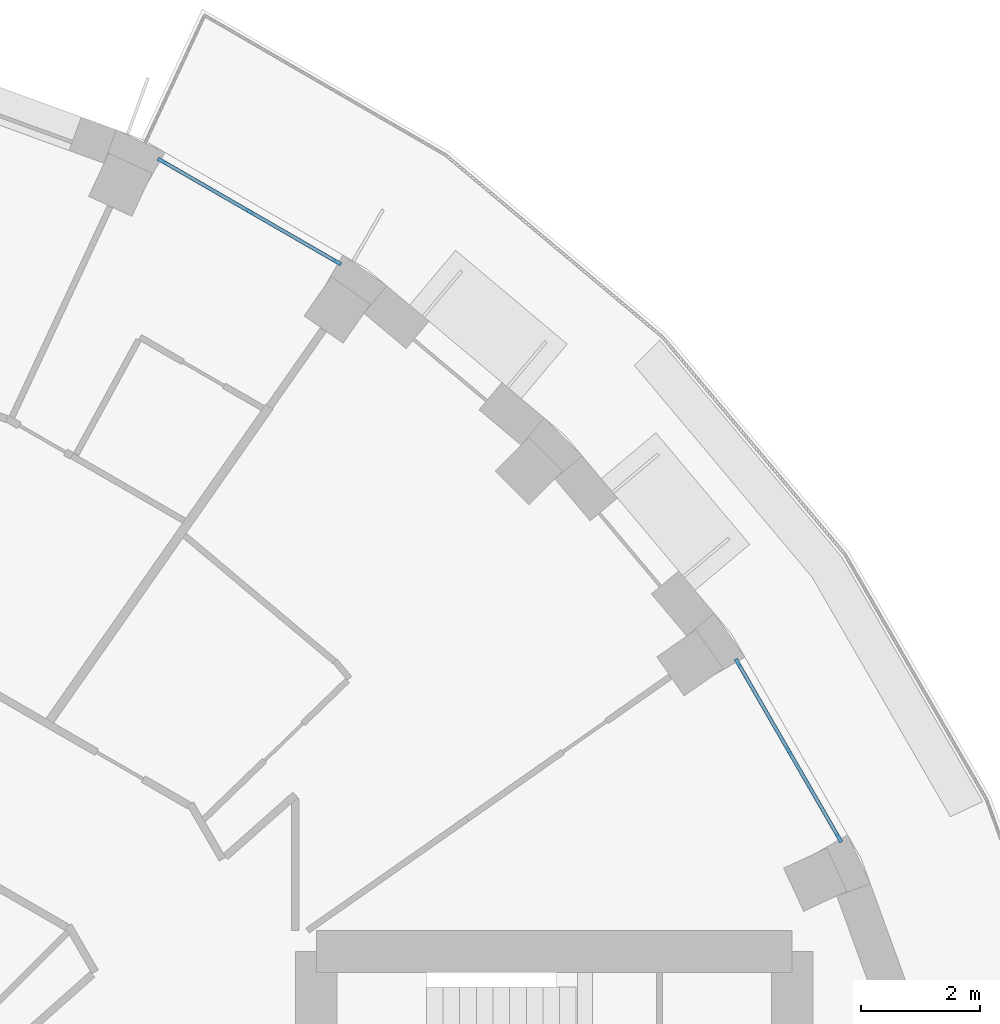
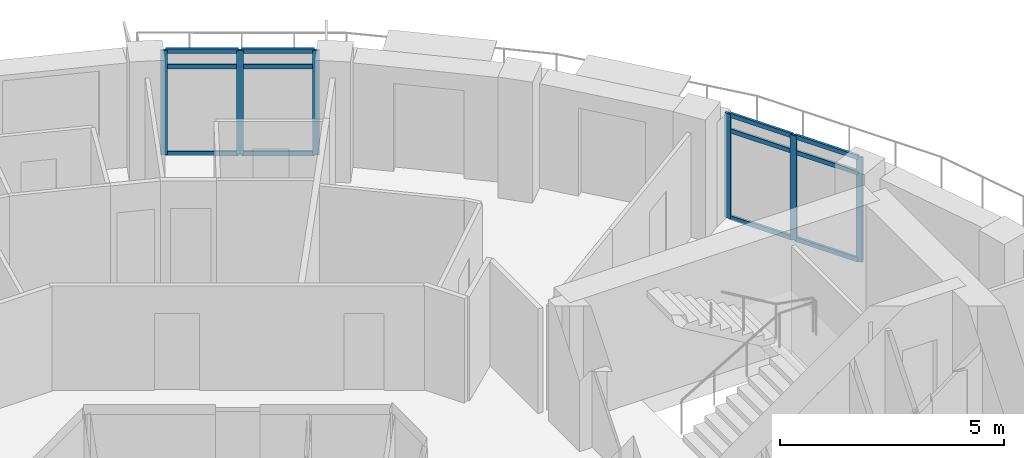
# One storey, part 2 of 15: 18 members, 2 elements without a shape of their own.
"""IFC4 building model written with IfcOpenShell, lengths in metres."""

from ifc_helpers import new_model, si_unit, direction, frame, origin, origin_2d, place, context, subcontext, project, spatial, rectangle, extrude, material, layer, layer_set, material_profile, profile_set, type_object, element, aggregate, save


model = new_model("IFC4")

# Units and contexts
model_context = context("Model", 3, precision=1e-05, world=origin(), true_north=direction((0.0, 1.0)))
body_context = subcontext(model_context, "Body", "Model", "MODEL_VIEW")
ifc_project = project(units=[si_unit("LENGTHUNIT", "METRE"), si_unit("AREAUNIT", "SQUARE_METRE"), si_unit("VOLUMEUNIT", "CUBIC_METRE"), si_unit("PLANEANGLEUNIT", "RADIAN"), si_unit("MASSUNIT", "GRAM", prefix="KILO")], contexts=[model_context])

# Site, building, storey
site_placement = place(None, origin())
site = spatial("IfcSite", under=ifc_project, at=site_placement, CompositionType="ELEMENT")
building_placement = place(site_placement, origin())
building = spatial("IfcBuilding", under=site, at=building_placement, Name="Saqina Gate Tower", CompositionType="ELEMENT")
storey_placement = place(building_placement, frame((0.0, 0.0, 197.10009765625)))
storey = spatial("IfcBuildingStorey", under=building, at=storey_placement, Name="L56", CompositionType="ELEMENT", Elevation=197.10009765625)

# Curtain wall, members
ifc_material_1 = material(Name="Aluminium glazing", Category="aluminium")
ifc_layer = layer(ifc_material_1, 0.159912109375)
ifc_layer_set = layer_set([ifc_layer], Name="CWT-4")
curtain_wall_type = type_object("IfcCurtainWallType", Name="CWT-4", PredefinedType="NOTDEFINED", material=ifc_layer_set)
curtain_wall_1_placement = place(storey_placement, origin())
curtain_wall_1 = element("IfcCurtainWall", 1, at=curtain_wall_1_placement, inside=storey, type_object=curtain_wall_type, Name="Terrace lounge glazing facet 3", PredefinedType="NOTDEFINED")
ifc_material_2 = material(Name="Aluminium", Category="aluminium")
ifc_material_profile_1 = material_profile(ifc_material_2, rectangle(XDim=0.06005859375, YDim=0.159912109375, at=origin_2d()), Name="Aluminium 60x160")
ifc_profile_set_1 = profile_set([ifc_material_profile_1], Name="Aluminium")
member_type_1 = type_object("IfcMemberType", Name="CWT-4M", PredefinedType="MULLION", material=ifc_profile_set_1)
member_1_placement = place(storey_placement, frame((22.285888671875, 10.90966796875, 0.0), z_axis=(0.0, 0.0, 1.0), x_axis=(-0.866017110341, -0.500014364391, 0.0)))
member_1 = element("IfcMember", 2, at=member_1_placement, type_object=member_type_1, Name="CW4-03 mullion 1", PredefinedType="MULLION", context=body_context, shape_type="SweptSolid", body=[
    extrude(rectangle(XDim=0.06005859375, YDim=0.159912109375, at=origin_2d()), origin(), (0.0, 0.0, 1.0), 2.849853515625),
])
member_2_placement = place(storey_placement, frame((21.438232421875, 12.37744140625, 0.0), z_axis=(0.0, 0.0, 1.0), x_axis=(-0.866017110341, -0.500014364391, 0.0)))
member_2 = element("IfcMember", 3, at=member_2_placement, type_object=member_type_1, Name="CW4-03 mullion 2", PredefinedType="MULLION", context=body_context, shape_type="SweptSolid", body=[
    extrude(rectangle(XDim=0.06005859375, YDim=0.159912109375, at=origin_2d()), origin(), (0.0, 0.0, 1.0), 2.849853515625),
])
member_3_placement = place(storey_placement, frame((20.5908203125, 13.84521484375, 0.0), z_axis=(0.0, 0.0, 1.0), x_axis=(-0.866017110341, -0.500014364391, 0.0)))
member_3 = element("IfcMember", 4, at=member_3_placement, type_object=member_type_1, Name="CW4-03 mullion 3", PredefinedType="MULLION", context=body_context, shape_type="SweptSolid", body=[
    extrude(rectangle(XDim=0.06005859375, YDim=0.159912109375, at=origin_2d()), origin(), (0.0, 0.0, 1.0), 2.849853515625),
])

curtain_wall_2_placement = place(storey_placement, origin())
curtain_wall_2 = element("IfcCurtainWall", 5, at=curtain_wall_2_placement, inside=storey, type_object=curtain_wall_type, Name="Terrace lounge glazing facet 6", PredefinedType="NOTDEFINED")
member_4_placement = place(storey_placement, frame((13.84521484375, 20.5908203125, 0.0), z_axis=(0.0, 0.0, 1.0), x_axis=(-0.500014364391, -0.866017110341, 0.0)))
member_4 = element("IfcMember", 6, at=member_4_placement, type_object=member_type_1, Name="CW4-06 mullion 1", PredefinedType="MULLION", context=body_context, shape_type="SweptSolid", body=[
    extrude(rectangle(XDim=0.06005859375, YDim=0.159912109375, at=origin_2d()), origin(), (0.0, 0.0, 1.0), 2.849853515625),
])
member_5_placement = place(storey_placement, frame((12.37744140625, 21.438232421875, 0.0), z_axis=(0.0, 0.0, 1.0), x_axis=(-0.500014364391, -0.866017110341, 0.0)))
member_5 = element("IfcMember", 7, at=member_5_placement, type_object=member_type_1, Name="CW4-06 mullion 2", PredefinedType="MULLION", context=body_context, shape_type="SweptSolid", body=[
    extrude(rectangle(XDim=0.06005859375, YDim=0.159912109375, at=origin_2d()), origin(), (0.0, 0.0, 1.0), 2.849853515625),
])
member_6_placement = place(storey_placement, frame((10.90966796875, 22.285888671875, 0.0), z_axis=(0.0, 0.0, 1.0), x_axis=(-0.500014364391, -0.866017110341, 0.0)))
member_6 = element("IfcMember", 8, at=member_6_placement, type_object=member_type_1, Name="CW4-06 mullion 3", PredefinedType="MULLION", context=body_context, shape_type="SweptSolid", body=[
    extrude(rectangle(XDim=0.06005859375, YDim=0.159912109375, at=origin_2d()), origin(), (0.0, 0.0, 1.0), 2.849853515625),
])

# Member
ifc_material_3 = material(Name="Aluminium", Category="aluminium")
ifc_material_profile_2 = material_profile(ifc_material_3, rectangle(XDim=0.06005859375, YDim=0.1201171875, at=origin_2d()), Name="Aluminium 60x120")
ifc_profile_set_2 = profile_set([ifc_material_profile_2], Name="Aluminium")
member_type_2 = type_object("IfcMemberType", Name="CWT-4T", PredefinedType="USERDEFINED", material=ifc_profile_set_2)
member_7_placement = place(storey_placement, frame((22.270751953125, 10.935546875, 0.02978515625), z_axis=(-0.499929268946, 0.866066236526, 0.0), x_axis=(-0.866066236526, -0.499929268946, 0.0)))
member_7 = element("IfcMember", 9, at=member_7_placement, type_object=member_type_2, Name="CW4-03 transom 1.1", ObjectType="TRANSOM", PredefinedType="USERDEFINED", context=body_context, shape_type="SweptSolid", body=[
    extrude(rectangle(XDim=0.06005859375, YDim=0.1201171875, at=origin_2d()), origin(), (0.0, 0.0, 1.0), 1.635009765625),
])

member_8_placement = place(storey_placement, frame((22.270751953125, 10.935546875, 2.39990234375), z_axis=(-0.499929268946, 0.866066236526, 0.0), x_axis=(-0.866066236526, -0.499929268946, 0.0)))
member_8 = element("IfcMember", 10, at=member_8_placement, type_object=member_type_2, Name="CW4-03 transom 1.2", ObjectType="TRANSOM", PredefinedType="USERDEFINED", context=body_context, shape_type="SweptSolid", body=[
    extrude(rectangle(XDim=0.06005859375, YDim=0.1201171875, at=origin_2d()), origin(), (0.0, 0.0, 1.0), 1.635009765625),
])

member_9_placement = place(storey_placement, frame((22.270751953125, 10.935546875, 2.81982421875), z_axis=(-0.499929268946, 0.866066236526, 0.0), x_axis=(-0.866066236526, -0.499929268946, 0.0)))
member_9 = element("IfcMember", 11, at=member_9_placement, type_object=member_type_2, Name="CW4-03 transom 1.3", ObjectType="TRANSOM", PredefinedType="USERDEFINED", context=body_context, shape_type="SweptSolid", body=[
    extrude(rectangle(XDim=0.06005859375, YDim=0.1201171875, at=origin_2d()), origin(), (0.0, 0.0, 1.0), 1.635009765625),
])

member_10_placement = place(storey_placement, frame((21.42333984375, 12.4033203125, 0.02978515625), z_axis=(-0.499929268946, 0.866066236526, 0.0), x_axis=(-0.866066236526, -0.499929268946, 0.0)))
member_10 = element("IfcMember", 12, at=member_10_placement, type_object=member_type_2, Name="CW4-03 transom 2.1", ObjectType="TRANSOM", PredefinedType="USERDEFINED", context=body_context, shape_type="SweptSolid", body=[
    extrude(rectangle(XDim=0.06005859375, YDim=0.1201171875, at=origin_2d()), origin(), (0.0, 0.0, 1.0), 1.635009765625),
])

member_11_placement = place(storey_placement, frame((21.42333984375, 12.4033203125, 2.39990234375), z_axis=(-0.499929268946, 0.866066236526, 0.0), x_axis=(-0.866066236526, -0.499929268946, 0.0)))
member_11 = element("IfcMember", 13, at=member_11_placement, type_object=member_type_2, Name="CW4-03 transom 2.2", ObjectType="TRANSOM", PredefinedType="USERDEFINED", context=body_context, shape_type="SweptSolid", body=[
    extrude(rectangle(XDim=0.06005859375, YDim=0.1201171875, at=origin_2d()), origin(), (0.0, 0.0, 1.0), 1.635009765625),
])

member_12_placement = place(storey_placement, frame((21.42333984375, 12.4033203125, 2.81982421875), z_axis=(-0.499929268946, 0.866066236526, 0.0), x_axis=(-0.866066236526, -0.499929268946, 0.0)))
member_12 = element("IfcMember", 14, at=member_12_placement, type_object=member_type_2, Name="CW4-03 transom 2.3", ObjectType="TRANSOM", PredefinedType="USERDEFINED", context=body_context, shape_type="SweptSolid", body=[
    extrude(rectangle(XDim=0.06005859375, YDim=0.1201171875, at=origin_2d()), origin(), (0.0, 0.0, 1.0), 1.635009765625),
])

aggregate(curtain_wall_1, [member_1, member_2, member_3, member_7, member_8, member_9, member_10, member_11, member_12])

member_13_placement = place(storey_placement, frame((13.8193359375, 20.60595703125, 0.02978515625), z_axis=(-0.866066236526, 0.499929268946, 0.0), x_axis=(-0.499929268946, -0.866066236526, 0.0)))
member_13 = element("IfcMember", 15, at=member_13_placement, type_object=member_type_2, Name="CW4-06 transom 1.1", ObjectType="TRANSOM", PredefinedType="USERDEFINED", context=body_context, shape_type="SweptSolid", body=[
    extrude(rectangle(XDim=0.06005859375, YDim=0.1201171875, at=origin_2d()), origin(), (0.0, 0.0, 1.0), 1.635009765625),
])

member_14_placement = place(storey_placement, frame((13.8193359375, 20.60595703125, 2.39990234375), z_axis=(-0.866066236526, 0.499929268946, 0.0), x_axis=(-0.499929268946, -0.866066236526, 0.0)))
member_14 = element("IfcMember", 16, at=member_14_placement, type_object=member_type_2, Name="CW4-06 transom 1.2", ObjectType="TRANSOM", PredefinedType="USERDEFINED", context=body_context, shape_type="SweptSolid", body=[
    extrude(rectangle(XDim=0.06005859375, YDim=0.1201171875, at=origin_2d()), origin(), (0.0, 0.0, 1.0), 1.635009765625),
])

member_15_placement = place(storey_placement, frame((13.8193359375, 20.60595703125, 2.81982421875), z_axis=(-0.866066236526, 0.499929268946, 0.0), x_axis=(-0.499929268946, -0.866066236526, 0.0)))
member_15 = element("IfcMember", 17, at=member_15_placement, type_object=member_type_2, Name="CW4-06 transom 1.3", ObjectType="TRANSOM", PredefinedType="USERDEFINED", context=body_context, shape_type="SweptSolid", body=[
    extrude(rectangle(XDim=0.06005859375, YDim=0.1201171875, at=origin_2d()), origin(), (0.0, 0.0, 1.0), 1.635009765625),
])

member_16_placement = place(storey_placement, frame((12.3515625, 21.453369140625, 0.02978515625), z_axis=(-0.866066236526, 0.499929268946, 0.0), x_axis=(-0.499929268946, -0.866066236526, 0.0)))
member_16 = element("IfcMember", 18, at=member_16_placement, type_object=member_type_2, Name="CW4-06 transom 2.1", ObjectType="TRANSOM", PredefinedType="USERDEFINED", context=body_context, shape_type="SweptSolid", body=[
    extrude(rectangle(XDim=0.06005859375, YDim=0.1201171875, at=origin_2d()), origin(), (0.0, 0.0, 1.0), 1.635009765625),
])

member_17_placement = place(storey_placement, frame((12.3515625, 21.453369140625, 2.39990234375), z_axis=(-0.866066236526, 0.499929268946, 0.0), x_axis=(-0.499929268946, -0.866066236526, 0.0)))
member_17 = element("IfcMember", 19, at=member_17_placement, type_object=member_type_2, Name="CW4-06 transom 2.2", ObjectType="TRANSOM", PredefinedType="USERDEFINED", context=body_context, shape_type="SweptSolid", body=[
    extrude(rectangle(XDim=0.06005859375, YDim=0.1201171875, at=origin_2d()), origin(), (0.0, 0.0, 1.0), 1.635009765625),
])

member_18_placement = place(storey_placement, frame((12.3515625, 21.453369140625, 2.81982421875), z_axis=(-0.866066236526, 0.499929268946, 0.0), x_axis=(-0.499929268946, -0.866066236526, 0.0)))
member_18 = element("IfcMember", 20, at=member_18_placement, type_object=member_type_2, Name="CW4-06 transom 2.3", ObjectType="TRANSOM", PredefinedType="USERDEFINED", context=body_context, shape_type="SweptSolid", body=[
    extrude(rectangle(XDim=0.06005859375, YDim=0.1201171875, at=origin_2d()), origin(), (0.0, 0.0, 1.0), 1.635009765625),
])

aggregate(curtain_wall_2, [member_4, member_5, member_6, member_13, member_14, member_15, member_16, member_17, member_18])

save(model, "model.ifc")
